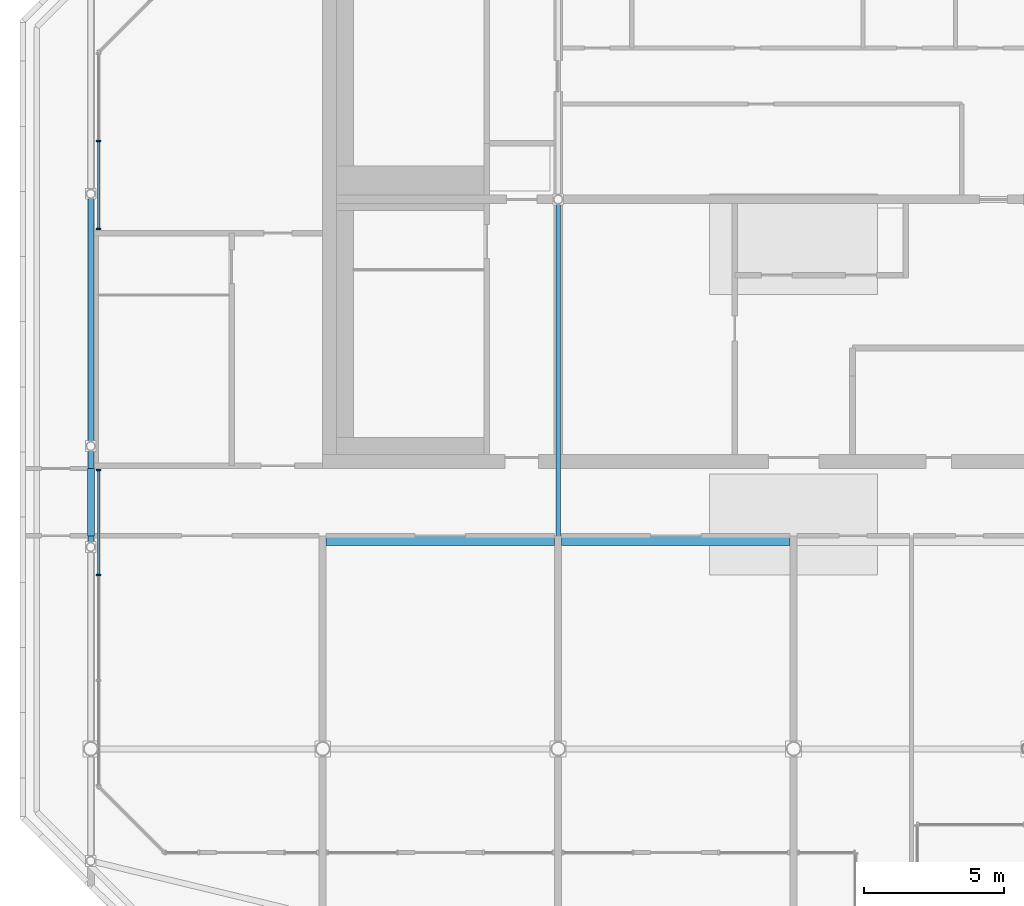
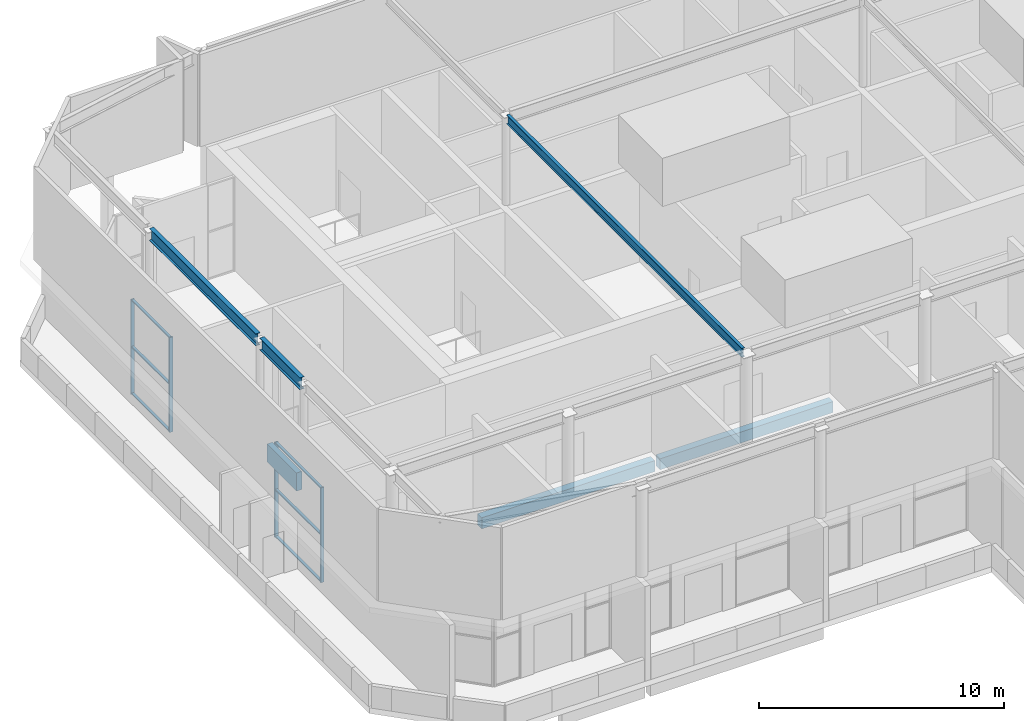
# One storey, part 8 of 25: 10 members, 6 beams, 2 elements without a shape of their own.
"""IFC4 building model written with IfcOpenShell, lengths in metres."""

from ifc_helpers import new_model, si_unit, direction, frame, origin, origin_2d, place, context, subcontext, project, spatial, rectangle, i_section, extrude, source, transform, mapped, material, material_profile, profile_set, type_object, element, aggregate, save


model = new_model("IFC4")

# Units and contexts
model_context = context("Model", 3, precision=1e-05, world=origin(), true_north=direction((0.0, 1.0)))
body_context = subcontext(model_context, "Body", "Model", "MODEL_VIEW")
ifc_project = project(units=[si_unit("LENGTHUNIT", "METRE"), si_unit("AREAUNIT", "SQUARE_METRE"), si_unit("VOLUMEUNIT", "CUBIC_METRE"), si_unit("PLANEANGLEUNIT", "RADIAN"), si_unit("MASSUNIT", "GRAM", prefix="KILO")], contexts=[model_context])

# Site, building, storey
site_placement = place(None, origin())
site = spatial("IfcSite", under=ifc_project, at=site_placement, CompositionType="ELEMENT")
building_placement = place(site_placement, origin())
building = spatial("IfcBuilding", under=site, at=building_placement, Name="Vanashikhar Sky Hotel", CompositionType="ELEMENT")
storey_placement = place(building_placement, frame((0.0, 0.0, 329.699951171875)))
storey = spatial("IfcBuildingStorey", under=building, at=storey_placement, Name="L78", CompositionType="ELEMENT", Elevation=329.699951171875)

# Beams
ifc_material_1 = material(Name="Concrete M50", Category="concrete")
ifc_material_profile_1 = material_profile(ifc_material_1, rectangle(XDim=0.25, YDim=0.89990234375, at=origin_2d()))
ifc_profile_set_1 = profile_set([ifc_material_profile_1], Name="RC 250x900 beam Concrete M50")
beam_type_1 = type_object("IfcBeamType", Name="RC 250x900 beam Concrete M50", PredefinedType="LINTEL", material=ifc_profile_set_1)
shared_shape_1 = source(origin(), body_context, "Body", "SweptSolid", [
    extrude(rectangle(XDim=0.25, YDim=0.89990234375, at=origin_2d()), origin(), (0.0, 0.0, 1.0), 2.39990234375),
])
beam_1_placement = place(storey_placement, frame((16.925048828125, 19.60009765625, 4.27001953125), z_axis=(0.0, 1.0, 0.0), x_axis=(-1.0, 0.0, 0.0)))
element("IfcBeam", 1, at=beam_1_placement, inside=storey, type_object=beam_type_1, Name="LB-L78-XW03", PredefinedType="LINTEL", context=body_context, shape_type="MappedRepresentation", body=[
    mapped(shared_shape_1, transform((0.0, 0.0, 0.0), scale=1.0)),
])
ifc_material_profile_2 = material_profile(ifc_material_1, rectangle(XDim=0.35009765625, YDim=0.550048828125, at=origin_2d()))
ifc_profile_set_2 = profile_set([ifc_material_profile_2], Name="RC 350x550 beam Concrete M50")
beam_type_2 = type_object("IfcBeamType", Name="RC 350x550 beam Concrete M50", PredefinedType="SPANDREL", material=ifc_profile_set_2)
shared_shape_2 = source(origin(), body_context, "Body", "SweptSolid", [
    extrude(rectangle(XDim=0.35009765625, YDim=0.550048828125, at=origin_2d()), origin(), (0.0, 0.0, 1.0), 8.150146484375),
])
beam_2_placement = place(storey_placement, frame((25.324951171875, 19.425048828125, -0.554931640625), z_axis=(1.0, 0.0, 0.0), x_axis=(0.0, 1.0, 0.0)))
element("IfcBeam", 2, at=beam_2_placement, inside=storey, type_object=beam_type_2, Name="CB-L78-01", PredefinedType="SPANDREL", context=body_context, shape_type="MappedRepresentation", body=[
    mapped(shared_shape_2, transform((0.0, 0.0, 0.0), scale=1.0)),
])
shared_shape_3 = source(origin(), body_context, "Body", "SweptSolid", [
    extrude(rectangle(XDim=0.35009765625, YDim=0.550048828125, at=origin_2d()), origin(), (0.0, 0.0, 1.0), 8.14990234375),
])
beam_3_placement = place(storey_placement, frame((33.72509765625, 19.425048828125, -0.554931640625), z_axis=(1.0, 0.0, 0.0), x_axis=(0.0, 1.0, 0.0)))
element("IfcBeam", 3, at=beam_3_placement, inside=storey, type_object=beam_type_2, Name="CB-L78-02", PredefinedType="SPANDREL", context=body_context, shape_type="MappedRepresentation", body=[
    mapped(shared_shape_3, transform((0.0, 0.0, 0.0), scale=1.0)),
])
ifc_material_2 = material(Name="Steel S355", Category="steel")
ifc_material_profile_3 = material_profile(ifc_material_2, i_section(OverallWidth=0.2099609375, OverallDepth=0.60009765625, WebThickness=0.011962890625, FlangeThickness=0.020751953125, at=origin_2d()), Name="ISMB 600")
ifc_profile_set_3 = profile_set([ifc_material_profile_3], Name="Steel S355")
beam_type_3 = type_object("IfcBeamType", Name="ISMB 600 Steel S355", PredefinedType="BEAM", material=ifc_profile_set_3)
shared_shape_4 = source(origin(), body_context, "Body", "SweptSolid", [
    extrude(i_section(OverallWidth=0.2099609375, OverallDepth=0.60009765625, WebThickness=0.011962890625, FlangeThickness=0.020751953125, at=origin_2d()), origin(), (0.0, 0.0, 1.0), 3.27587890625),
])
beam_4_placement = place(storey_placement, frame((16.925048828125, 19.362060546875, 9.300048828125), z_axis=(0.0, 1.0, 0.0), x_axis=(-1.0, 0.0, 0.0)))
element("IfcBeam", 4, at=beam_4_placement, inside=storey, type_object=beam_type_3, Name="CR-L78-W103", PredefinedType="BEAM", context=body_context, shape_type="MappedRepresentation", body=[
    mapped(shared_shape_4, transform((0.0, 0.0, 0.0), scale=1.0)),
])
shared_shape_5 = source(origin(), body_context, "Body", "SweptSolid", [
    extrude(i_section(OverallWidth=0.2099609375, OverallDepth=0.60009765625, WebThickness=0.011962890625, FlangeThickness=0.020751953125, at=origin_2d()), origin(), (0.0, 0.0, 1.0), 8.676025390625),
])
beam_5_placement = place(storey_placement, frame((16.925048828125, 22.9619140625, 9.300048828125), z_axis=(0.0, 1.0, 0.0), x_axis=(-1.0, 0.0, 0.0)))
element("IfcBeam", 5, at=beam_5_placement, inside=storey, type_object=beam_type_3, Name="CR-L78-W104", PredefinedType="BEAM", context=body_context, shape_type="MappedRepresentation", body=[
    mapped(shared_shape_5, transform((0.0, 0.0, 0.0), scale=1.0)),
])
ifc_material_profile_4 = material_profile(ifc_material_2, i_section(OverallWidth=0.14990234375, OverallDepth=0.449951171875, WebThickness=0.009521484375, FlangeThickness=0.017333984375, at=origin_2d()), Name="ISMB 450")
ifc_profile_set_4 = profile_set([ifc_material_profile_4], Name="Steel S355")
beam_type_4 = type_object("IfcBeamType", Name="ISMB 450 Steel S355", PredefinedType="BEAM", material=ifc_profile_set_4)
shared_shape_6 = source(origin(), body_context, "Body", "SweptSolid", [
    extrude(i_section(OverallWidth=0.14990234375, OverallDepth=0.449951171875, WebThickness=0.009521484375, FlangeThickness=0.017333984375, at=origin_2d()), origin(), (0.0, 0.0, 1.0), 19.18408203125),
])
beam_6_placement = place(storey_placement, frame((33.60009765625, 12.25390625, 9.300048828125), z_axis=(0.0, 1.0, 0.0), x_axis=(-1.0, 0.0, 0.0)))
element("IfcBeam", 6, at=beam_6_placement, inside=storey, type_object=beam_type_4, Name="CR-L78-Y01", PredefinedType="BEAM", context=body_context, shape_type="MappedRepresentation", body=[
    mapped(shared_shape_6, transform((0.0, 0.0, 0.0), scale=1.0)),
])

# Curtain wall, members
ifc_material_3 = material(Name="Glass", Category="glass")
curtain_wall_type = type_object("IfcCurtainWallType", Name="Observation enclosure", PredefinedType="NOTDEFINED", material=ifc_material_3)
curtain_wall_1_placement = place(storey_placement, origin())
curtain_wall_1 = element("IfcCurtainWall", 7, at=curtain_wall_1_placement, inside=storey, type_object=curtain_wall_type, Name="Observation enclosure", PredefinedType="NOTDEFINED")
ifc_material_4 = material(Name="Aluminium 6063-T6", Category="aluminium")
ifc_material_profile_5 = material_profile(ifc_material_4, rectangle(XDim=0.159912109375, YDim=0.06005859375, at=origin_2d()))
ifc_profile_set_5 = profile_set([ifc_material_profile_5], Name="Aluminium 6063-T6")
member_type_1 = type_object("IfcMemberType", Name="Observation mullion 60 x 160", PredefinedType="MULLION", material=ifc_profile_set_5)
shared_shape_7 = source(origin(), body_context, "Body", "SweptSolid", [
    extrude(rectangle(XDim=0.159912109375, YDim=0.06005859375, at=origin_2d()), origin(), (0.0, 0.0, 1.0), 4.719970703125),
])
member_1_placement = place(storey_placement, frame((17.199951171875, 21.949951171875, 0.0), z_axis=(0.0, 0.0, 1.0), x_axis=(1.0, 0.0, 0.0)))
member_1 = element("IfcMember", 8, at=member_1_placement, type_object=member_type_1, Name="CW-6 mullion 1", PredefinedType="MULLION", context=body_context, shape_type="MappedRepresentation", body=[
    mapped(shared_shape_7, transform((0.0, 0.0, 0.0), scale=1.0)),
])
member_2_placement = place(storey_placement, frame((17.199951171875, 18.20654296875, 0.0), z_axis=(0.0, 0.0, 1.0), x_axis=(1.0, 0.0, 0.0)))
member_2 = element("IfcMember", 9, at=member_2_placement, type_object=member_type_1, Name="CW-6 mullion 2", PredefinedType="MULLION", context=body_context, shape_type="MappedRepresentation", body=[
    mapped(shared_shape_7, transform((0.0, 0.0, 0.0), scale=1.0)),
])

curtain_wall_2_placement = place(storey_placement, origin())
curtain_wall_2 = element("IfcCurtainWall", 10, at=curtain_wall_2_placement, inside=storey, type_object=curtain_wall_type, Name="Observation enclosure", PredefinedType="NOTDEFINED")
member_3_placement = place(storey_placement, frame((17.199951171875, 33.68017578125, 0.0), z_axis=(0.0, 0.0, 1.0), x_axis=(1.0, 0.0, 0.0)))
member_3 = element("IfcMember", 11, at=member_3_placement, type_object=member_type_1, Name="CW-6 mullion 2", PredefinedType="MULLION", context=body_context, shape_type="MappedRepresentation", body=[
    mapped(shared_shape_7, transform((0.0, 0.0, 0.0), scale=1.0)),
])
member_4_placement = place(storey_placement, frame((17.199951171875, 30.550048828125, 0.0), z_axis=(0.0, 0.0, 1.0), x_axis=(1.0, 0.0, 0.0)))
member_4 = element("IfcMember", 12, at=member_4_placement, type_object=member_type_1, Name="CW-6 mullion 3", PredefinedType="MULLION", context=body_context, shape_type="MappedRepresentation", body=[
    mapped(shared_shape_7, transform((0.0, 0.0, 0.0), scale=1.0)),
])

# Member
ifc_material_profile_6 = material_profile(ifc_material_4, rectangle(XDim=0.1201171875, YDim=0.06005859375, at=origin_2d()))
ifc_profile_set_6 = profile_set([ifc_material_profile_6], Name="Aluminium 6063-T6")
member_type_2 = type_object("IfcMemberType", Name="Observation transom 60 x 120", PredefinedType="USERDEFINED", material=ifc_profile_set_6)
shared_shape_8 = source(origin(), body_context, "Body", "SweptSolid", [
    extrude(rectangle(XDim=0.1201171875, YDim=0.06005859375, at=origin_2d()), origin(), (0.0, 0.0, 1.0), 3.683349609375),
])
member_5_placement = place(storey_placement, frame((17.199951171875, 21.919921875, 0.030029296875), z_axis=(0.0, -1.0, 0.0), x_axis=(1.0, 0.0, 0.0)))
member_5 = element("IfcMember", 13, at=member_5_placement, type_object=member_type_2, Name="CW-6 transom 1.1", ObjectType="TRANSOM", PredefinedType="USERDEFINED", context=body_context, shape_type="MappedRepresentation", body=[
    mapped(shared_shape_8, transform((0.0, 0.0, 0.0), scale=1.0)),
])

member_6_placement = place(storey_placement, frame((17.199951171875, 21.919921875, 2.360107421875), z_axis=(0.0, -1.0, 0.0), x_axis=(1.0, 0.0, 0.0)))
member_6 = element("IfcMember", 14, at=member_6_placement, type_object=member_type_2, Name="CW-6 transom 1.2", ObjectType="TRANSOM", PredefinedType="USERDEFINED", context=body_context, shape_type="MappedRepresentation", body=[
    mapped(shared_shape_8, transform((0.0, 0.0, 0.0), scale=1.0)),
])

member_7_placement = place(storey_placement, frame((17.199951171875, 21.919921875, 4.68994140625), z_axis=(0.0, -1.0, 0.0), x_axis=(1.0, 0.0, 0.0)))
member_7 = element("IfcMember", 15, at=member_7_placement, type_object=member_type_2, Name="CW-6 transom 1.3", ObjectType="TRANSOM", PredefinedType="USERDEFINED", context=body_context, shape_type="MappedRepresentation", body=[
    mapped(shared_shape_8, transform((0.0, 0.0, 0.0), scale=1.0)),
])

aggregate(curtain_wall_1, [member_1, member_2, member_5, member_6, member_7])

shared_shape_9 = source(origin(), body_context, "Body", "SweptSolid", [
    extrude(rectangle(XDim=0.1201171875, YDim=0.06005859375, at=origin_2d()), origin(), (0.0, 0.0, 1.0), 3.070068359375),
])
member_8_placement = place(storey_placement, frame((17.199951171875, 33.650146484375, 0.030029296875), z_axis=(0.0, -1.0, 0.0), x_axis=(1.0, 0.0, 0.0)))
member_8 = element("IfcMember", 16, at=member_8_placement, type_object=member_type_2, Name="CW-6 transom 2.1", ObjectType="TRANSOM", PredefinedType="USERDEFINED", context=body_context, shape_type="MappedRepresentation", body=[
    mapped(shared_shape_9, transform((0.0, 0.0, 0.0), scale=1.0)),
])

member_9_placement = place(storey_placement, frame((17.199951171875, 33.650146484375, 2.360107421875), z_axis=(0.0, -1.0, 0.0), x_axis=(1.0, 0.0, 0.0)))
member_9 = element("IfcMember", 17, at=member_9_placement, type_object=member_type_2, Name="CW-6 transom 2.2", ObjectType="TRANSOM", PredefinedType="USERDEFINED", context=body_context, shape_type="MappedRepresentation", body=[
    mapped(shared_shape_9, transform((0.0, 0.0, 0.0), scale=1.0)),
])

member_10_placement = place(storey_placement, frame((17.199951171875, 33.650146484375, 4.68994140625), z_axis=(0.0, -1.0, 0.0), x_axis=(1.0, 0.0, 0.0)))
member_10 = element("IfcMember", 18, at=member_10_placement, type_object=member_type_2, Name="CW-6 transom 2.3", ObjectType="TRANSOM", PredefinedType="USERDEFINED", context=body_context, shape_type="MappedRepresentation", body=[
    mapped(shared_shape_9, transform((0.0, 0.0, 0.0), scale=1.0)),
])

aggregate(curtain_wall_2, [member_3, member_4, member_8, member_9, member_10])

save(model, "model.ifc")
